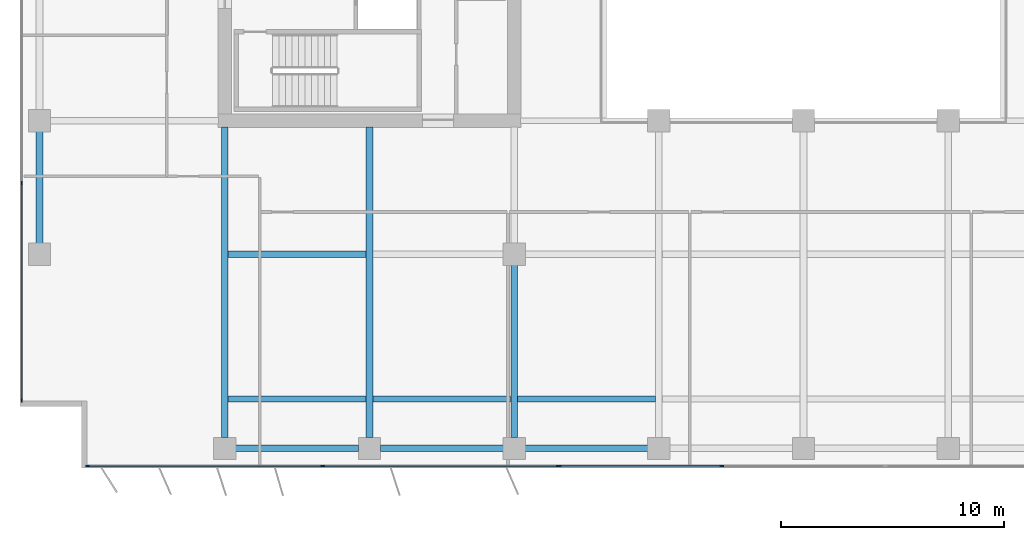
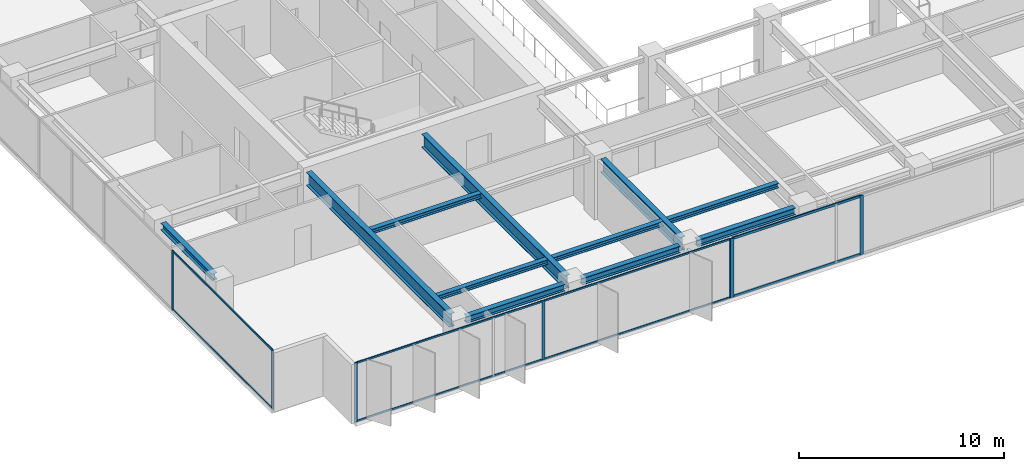
# One storey, part 2 of 22: 15 members, 11 beams, 3 elements without a shape of their own.
"""IFC4 building model written with IfcOpenShell, lengths in metres."""

from ifc_helpers import new_model, si_unit, direction, frame, origin, origin_2d, place, context, subcontext, project, spatial, rectangle, i_section, extrude, material, layer, layer_set, material_profile, profile_set, type_object, element, aggregate, save


model = new_model("IFC4")

# Units and contexts
model_context = context("Model", 3, precision=1e-05, world=origin(), true_north=direction((0.0, 1.0)))
body_context = subcontext(model_context, "Body", "Model", "MODEL_VIEW")
ifc_project = project(units=[si_unit("LENGTHUNIT", "METRE"), si_unit("AREAUNIT", "SQUARE_METRE"), si_unit("VOLUMEUNIT", "CUBIC_METRE"), si_unit("PLANEANGLEUNIT", "RADIAN"), si_unit("MASSUNIT", "GRAM", prefix="KILO")], contexts=[model_context])

# Site, building, storey
site_placement = place(None, origin())
site = spatial("IfcSite", under=ifc_project, at=site_placement, CompositionType="ELEMENT")
building_placement = place(site_placement, origin())
building = spatial("IfcBuilding", under=site, at=building_placement, Name="Putna Gate Headquarters", CompositionType="ELEMENT")
storey_placement = place(building_placement, frame((0.0, 0.0, 193.60009765625)))
storey = spatial("IfcBuildingStorey", under=building, at=storey_placement, Name="L48", CompositionType="ELEMENT", Elevation=193.60009765625)

# Beams
ifc_material_1 = material(Name="Steel S355J2", Category="steel")
ifc_material_profile_1 = material_profile(ifc_material_1, i_section(OverallWidth=0.300048828125, OverallDepth=0.800048828125, WebThickness=0.017578125, FlangeThickness=0.032958984375, at=origin_2d()), Name="Steel S355J2")
ifc_profile_set_1 = profile_set([ifc_material_profile_1], Name="Steel S355J2")
beam_type_1 = type_object("IfcBeamType", Name="BM-GIRD-P-HEB800", PredefinedType="USERDEFINED", material=ifc_profile_set_1)
for number, where, z_axis, x_axis, name in (
    (1, (13.0, 4.76806640625, 3.119873046875), (0.0, 1.0, 0.0), (-1.0, 0.0, 0.0), "L48 South Primary Girder X13"),
    (2, (19.5, 4.76806640625, 3.119873046875), (0.0, 1.0, 0.0), (-1.0, 0.0, 0.0), "L48 South Primary Girder X19"),
):
    element("IfcBeam", number, at=place(storey_placement, frame(where, z_axis=z_axis, x_axis=x_axis)), inside=storey, type_object=beam_type_1, Name=name, ObjectType="GIRDER", PredefinedType="USERDEFINED", context=body_context, shape_type="SweptSolid", body=[
        extrude(i_section(OverallWidth=0.300048828125, OverallDepth=0.800048828125, WebThickness=0.017578125, FlangeThickness=0.032958984375, at=origin_2d()), origin(), (0.0, 0.0, 1.0), 13.947021484375),
    ])
beam_1_placement = place(storey_placement, frame((26.0, 4.76806640625, 3.119873046875), z_axis=(0.0, 1.0, 0.0), x_axis=(-1.0, 0.0, 0.0)))
element("IfcBeam", 3, at=beam_1_placement, inside=storey, type_object=beam_type_1, Name="L48 South Primary Girder X26-1", ObjectType="GIRDER", PredefinedType="USERDEFINED", context=body_context, shape_type="SweptSolid", body=[
    extrude(i_section(OverallWidth=0.300048828125, OverallDepth=0.800048828125, WebThickness=0.017578125, FlangeThickness=0.032958984375, at=origin_2d()), origin(), (0.0, 0.0, 1.0), 7.743896484375),
])
ifc_material_profile_2 = material_profile(ifc_material_1, i_section(OverallWidth=0.300048828125, OverallDepth=0.39990234375, WebThickness=0.013427734375, FlangeThickness=0.02392578125, at=origin_2d()), Name="Steel S355J2")
ifc_profile_set_2 = profile_set([ifc_material_profile_2], Name="Steel S355J2")
beam_type_2 = type_object("IfcBeamType", Name="BM-SPAN-Z3-HEB400", PredefinedType="SPANDREL", material=ifc_profile_set_2)
for number, where, z_axis, x_axis, name in (
    (4, (13.488037109375, 4.280029296875, 3.31982421875), (1.0, 0.0, 0.0), (0.0, 1.0, 0.0), "L48 S Perimeter Spandrel 1"),
    (5, (19.988037109375, 4.280029296875, 3.31982421875), (1.0, 0.0, 0.0), (0.0, 1.0, 0.0), "L48 S Perimeter Spandrel 2"),
    (6, (26.488037109375, 4.280029296875, 3.31982421875), (1.0, 0.0, 0.0), (0.0, 1.0, 0.0), "L48 S Perimeter Spandrel 3"),
):
    element("IfcBeam", number, at=place(storey_placement, frame(where, z_axis=z_axis, x_axis=x_axis)), inside=storey, type_object=beam_type_2, Name=name, PredefinedType="SPANDREL", context=body_context, shape_type="SweptSolid", body=[
        extrude(i_section(OverallWidth=0.300048828125, OverallDepth=0.39990234375, WebThickness=0.013427734375, FlangeThickness=0.02392578125, at=origin_2d()), origin(), (0.0, 0.0, 1.0), 5.52392578125),
    ])
beam_2_placement = place(storey_placement, frame((4.679931640625, 13.488037109375, 3.31982421875), z_axis=(0.0, 1.0, 0.0), x_axis=(-1.0, 0.0, 0.0)))
element("IfcBeam", 7, at=beam_2_placement, inside=storey, type_object=beam_type_2, Name="L48 W End Spandrel 1", PredefinedType="SPANDREL", context=body_context, shape_type="SweptSolid", body=[
    extrude(i_section(OverallWidth=0.300048828125, OverallDepth=0.39990234375, WebThickness=0.013427734375, FlangeThickness=0.02392578125, at=origin_2d()), origin(), (0.0, 0.0, 1.0), 5.02392578125),
])
ifc_material_profile_3 = material_profile(ifc_material_1, i_section(OverallWidth=0.280029296875, OverallDepth=0.280029296875, WebThickness=0.010498046875, FlangeThickness=0.01806640625, at=origin_2d()), Name="Steel S355J2")
ifc_profile_set_3 = profile_set([ifc_material_profile_3], Name="Steel S355J2")
beam_type_3 = type_object("IfcBeamType", Name="BM-SPAN-Z5-HEB280", PredefinedType="SPANDREL", material=ifc_profile_set_3)
for number, where, z_axis, x_axis, name in (
    (8, (13.154052734375, 6.5, 3.3798828125), (1.0, 0.0, 0.0), (0.0, 1.0, 0.0), "L48 South Secondary Beam 1"),
    (9, (13.154052734375, 13.0, 3.3798828125), (1.0, 0.0, 0.0), (0.0, 1.0, 0.0), "L48 South Secondary Beam 1"),
    (10, (19.654052734375, 6.5, 3.3798828125), (1.0, 0.0, 0.0), (0.0, 1.0, 0.0), "L48 South Secondary Beam 2"),
    (11, (26.154052734375, 6.5, 3.3798828125), (1.0, 0.0, 0.0), (0.0, 1.0, 0.0), "L48 South Secondary Beam 3"),
):
    element("IfcBeam", number, at=place(storey_placement, frame(where, z_axis=z_axis, x_axis=x_axis)), inside=storey, type_object=beam_type_3, Name=name, PredefinedType="SPANDREL", context=body_context, shape_type="SweptSolid", body=[
        extrude(i_section(OverallWidth=0.280029296875, OverallDepth=0.280029296875, WebThickness=0.010498046875, FlangeThickness=0.01806640625, at=origin_2d()), origin(), (0.0, 0.0, 1.0), 6.19189453125),
    ])

# Curtain wall, members
ifc_material_2 = material(Name="Anodised bronze aluminium curtain wall", Category="aluminium")
ifc_layer_1 = layer(ifc_material_2, 0.159912109375)
ifc_layer_set_1 = layer_set([ifc_layer_1], Name="Anodised bronze aluminium curtain wall")
curtain_wall_type_1 = type_object("IfcCurtainWallType", Name="CW-SYS-Z3", PredefinedType="USERDEFINED", material=ifc_layer_set_1)
curtain_wall_1_placement = place(storey_placement, origin())
curtain_wall_1 = element("IfcCurtainWall", 12, at=curtain_wall_1_placement, inside=storey, type_object=curtain_wall_type_1, Name="L48 South West Curtain Wall", ObjectType="STICK CURTAIN WALL", PredefinedType="USERDEFINED")
ifc_material_3 = material(Name="Anodised bronze aluminium EN AW-6060", Category="aluminium")
ifc_material_profile_4 = material_profile(ifc_material_3, rectangle(XDim=0.06494140625, YDim=0.159912109375, at=origin_2d()), Name="Anodised bronze aluminium EN AW-6060")
ifc_profile_set_4 = profile_set([ifc_material_profile_4], Name="Anodised bronze aluminium EN AW-6060")
member_type_1 = type_object("IfcMemberType", Name="MULL-CWM-3", PredefinedType="MULLION", material=ifc_profile_set_4)
member_1_placement = place(storey_placement, frame((6.83251953125, 3.47998046875, 0.0), z_axis=(0.0, 0.0, 1.0), x_axis=(0.0, 1.0, 0.0)))
member_1 = element("IfcMember", 13, at=member_1_placement, type_object=member_type_1, Name="CWS-3 mullion 1", PredefinedType="MULLION", context=body_context, shape_type="SweptSolid", body=[
    extrude(rectangle(XDim=0.06494140625, YDim=0.159912109375, at=origin_2d()), origin(), (0.0, 0.0, 1.0), 3.52001953125),
])
member_2_placement = place(storey_placement, frame((17.39990234375, 3.47998046875, 0.0), z_axis=(0.0, 0.0, 1.0), x_axis=(0.0, 1.0, 0.0)))
member_2 = element("IfcMember", 14, at=member_2_placement, type_object=member_type_1, Name="CWS-3 mullion 2", PredefinedType="MULLION", context=body_context, shape_type="SweptSolid", body=[
    extrude(rectangle(XDim=0.06494140625, YDim=0.159912109375, at=origin_2d()), origin(), (0.0, 0.0, 1.0), 3.52001953125),
])
member_3_placement = place(storey_placement, frame((27.967529296875, 3.47998046875, 0.0), z_axis=(0.0, 0.0, 1.0), x_axis=(0.0, 1.0, 0.0)))
member_3 = element("IfcMember", 15, at=member_3_placement, type_object=member_type_1, Name="CWS-3 mullion 3", PredefinedType="MULLION", context=body_context, shape_type="SweptSolid", body=[
    extrude(rectangle(XDim=0.06494140625, YDim=0.159912109375, at=origin_2d()), origin(), (0.0, 0.0, 1.0), 3.52001953125),
])

curtain_wall_2_placement = place(storey_placement, origin())
curtain_wall_2 = element("IfcCurtainWall", 16, at=curtain_wall_2_placement, inside=storey, type_object=curtain_wall_type_1, Name="L48 West Curtain Wall", ObjectType="STICK CURTAIN WALL", PredefinedType="USERDEFINED")
member_4_placement = place(storey_placement, frame((3.8798828125, 6.4326171875, 0.0), z_axis=(0.0, 0.0, 1.0), x_axis=(-1.0, 0.0, 0.0)))
member_4 = element("IfcMember", 17, at=member_4_placement, type_object=member_type_1, Name="CWS-3 mullion 1", PredefinedType="MULLION", context=body_context, shape_type="SweptSolid", body=[
    extrude(rectangle(XDim=0.06494140625, YDim=0.159912109375, at=origin_2d()), origin(), (0.0, 0.0, 1.0), 3.52001953125),
])
member_5_placement = place(storey_placement, frame((3.8798828125, 16.199951171875, 0.0), z_axis=(0.0, 0.0, 1.0), x_axis=(-1.0, 0.0, 0.0)))
member_5 = element("IfcMember", 18, at=member_5_placement, type_object=member_type_1, Name="CWS-3 mullion 2", PredefinedType="MULLION", context=body_context, shape_type="SweptSolid", body=[
    extrude(rectangle(XDim=0.06494140625, YDim=0.159912109375, at=origin_2d()), origin(), (0.0, 0.0, 1.0), 3.52001953125),
])

ifc_layer_2 = layer(ifc_material_2, 0.179931640625)
ifc_layer_set_2 = layer_set([ifc_layer_2], Name="Anodised bronze aluminium curtain wall")
curtain_wall_type_2 = type_object("IfcCurtainWallType", Name="CW-SYS-ATR", PredefinedType="USERDEFINED", material=ifc_layer_set_2)
curtain_wall_3_placement = place(storey_placement, origin())
curtain_wall_3 = element("IfcCurtainWall", 19, at=curtain_wall_3_placement, inside=storey, type_object=curtain_wall_type_2, Name="L48 South Atrium Clear Glazing", ObjectType="ATRIUM GLAZING", PredefinedType="USERDEFINED")
ifc_material_profile_5 = material_profile(ifc_material_3, rectangle(XDim=0.070068359375, YDim=0.179931640625, at=origin_2d()), Name="Anodised bronze aluminium EN AW-6060")
ifc_profile_set_5 = profile_set([ifc_material_profile_5], Name="Anodised bronze aluminium EN AW-6060")
member_type_2 = type_object("IfcMemberType", Name="MULL-CWM-AT", PredefinedType="MULLION", material=ifc_profile_set_5)
member_6_placement = place(storey_placement, frame((28.034912109375, 3.47998046875, 0.0), z_axis=(0.0, 0.0, 1.0), x_axis=(0.0, 1.0, 0.0)))
member_6 = element("IfcMember", 20, at=member_6_placement, type_object=member_type_2, Name="CWS-AT mullion 1", PredefinedType="MULLION", context=body_context, shape_type="SweptSolid", body=[
    extrude(rectangle(XDim=0.070068359375, YDim=0.179931640625, at=origin_2d()), origin(), (0.0, 0.0, 1.0), 3.52001953125),
])
member_7_placement = place(storey_placement, frame((35.333251953125, 3.47998046875, 0.0), z_axis=(0.0, 0.0, 1.0), x_axis=(0.0, 1.0, 0.0)))
member_7 = element("IfcMember", 21, at=member_7_placement, type_object=member_type_2, Name="CWS-AT mullion 2", PredefinedType="MULLION", context=body_context, shape_type="SweptSolid", body=[
    extrude(rectangle(XDim=0.070068359375, YDim=0.179931640625, at=origin_2d()), origin(), (0.0, 0.0, 1.0), 3.52001953125),
])

# Member
ifc_material_profile_6 = material_profile(ifc_material_3, rectangle(XDim=0.06005859375, YDim=0.10009765625, at=origin_2d()), Name="Anodised bronze aluminium EN AW-6060")
ifc_profile_set_6 = profile_set([ifc_material_profile_6], Name="Anodised bronze aluminium EN AW-6060")
member_type_3 = type_object("IfcMemberType", Name="TRAN-CWT-3", PredefinedType="USERDEFINED", material=ifc_profile_set_6)
member_8_placement = place(storey_placement, frame((6.864990234375, 3.47998046875, 0.02978515625), z_axis=(1.0, 0.0, 0.0), x_axis=(0.0, 1.0, 0.0)))
member_8 = element("IfcMember", 22, at=member_8_placement, type_object=member_type_3, Name="CWS-3 transom 1.1", ObjectType="TRANSOM", PredefinedType="USERDEFINED", context=body_context, shape_type="SweptSolid", body=[
    extrude(rectangle(XDim=0.06005859375, YDim=0.10009765625, at=origin_2d()), origin(), (0.0, 0.0, 1.0), 10.50244140625),
])

member_9_placement = place(storey_placement, frame((6.864990234375, 3.47998046875, 3.489990234375), z_axis=(1.0, 0.0, 0.0), x_axis=(0.0, 1.0, 0.0)))
member_9 = element("IfcMember", 23, at=member_9_placement, type_object=member_type_3, Name="CWS-3 transom 1.2", ObjectType="TRANSOM", PredefinedType="USERDEFINED", context=body_context, shape_type="SweptSolid", body=[
    extrude(rectangle(XDim=0.06005859375, YDim=0.10009765625, at=origin_2d()), origin(), (0.0, 0.0, 1.0), 10.50244140625),
])

member_10_placement = place(storey_placement, frame((17.4326171875, 3.47998046875, 0.02978515625), z_axis=(1.0, 0.0, 0.0), x_axis=(0.0, 1.0, 0.0)))
member_10 = element("IfcMember", 24, at=member_10_placement, type_object=member_type_3, Name="CWS-3 transom 2.1", ObjectType="TRANSOM", PredefinedType="USERDEFINED", context=body_context, shape_type="SweptSolid", body=[
    extrude(rectangle(XDim=0.06005859375, YDim=0.10009765625, at=origin_2d()), origin(), (0.0, 0.0, 1.0), 10.50244140625),
])

member_11_placement = place(storey_placement, frame((17.4326171875, 3.47998046875, 3.489990234375), z_axis=(1.0, 0.0, 0.0), x_axis=(0.0, 1.0, 0.0)))
member_11 = element("IfcMember", 25, at=member_11_placement, type_object=member_type_3, Name="CWS-3 transom 2.2", ObjectType="TRANSOM", PredefinedType="USERDEFINED", context=body_context, shape_type="SweptSolid", body=[
    extrude(rectangle(XDim=0.06005859375, YDim=0.10009765625, at=origin_2d()), origin(), (0.0, 0.0, 1.0), 10.50244140625),
])

aggregate(curtain_wall_1, [member_1, member_2, member_3, member_8, member_9, member_10, member_11])

member_12_placement = place(storey_placement, frame((3.8798828125, 6.465087890625, 0.02978515625), z_axis=(0.0, 1.0, 0.0), x_axis=(-1.0, 0.0, 0.0)))
member_12 = element("IfcMember", 26, at=member_12_placement, type_object=member_type_3, Name="CWS-3 transom 1.1", ObjectType="TRANSOM", PredefinedType="USERDEFINED", context=body_context, shape_type="SweptSolid", body=[
    extrude(rectangle(XDim=0.06005859375, YDim=0.10009765625, at=origin_2d()), origin(), (0.0, 0.0, 1.0), 9.702392578125),
])

member_13_placement = place(storey_placement, frame((3.8798828125, 6.465087890625, 3.489990234375), z_axis=(0.0, 1.0, 0.0), x_axis=(-1.0, 0.0, 0.0)))
member_13 = element("IfcMember", 27, at=member_13_placement, type_object=member_type_3, Name="CWS-3 transom 1.2", ObjectType="TRANSOM", PredefinedType="USERDEFINED", context=body_context, shape_type="SweptSolid", body=[
    extrude(rectangle(XDim=0.06005859375, YDim=0.10009765625, at=origin_2d()), origin(), (0.0, 0.0, 1.0), 9.702392578125),
])

aggregate(curtain_wall_2, [member_4, member_5, member_12, member_13])

ifc_material_profile_7 = material_profile(ifc_material_3, rectangle(XDim=0.070068359375, YDim=0.139892578125, at=origin_2d()), Name="Anodised bronze aluminium EN AW-6060")
ifc_profile_set_7 = profile_set([ifc_material_profile_7], Name="Anodised bronze aluminium EN AW-6060")
member_type_4 = type_object("IfcMemberType", Name="TRAN-CWT-AT", PredefinedType="USERDEFINED", material=ifc_profile_set_7)
member_14_placement = place(storey_placement, frame((28.070068359375, 3.47998046875, 0.034912109375), z_axis=(1.0, 0.0, 0.0), x_axis=(0.0, 1.0, 0.0)))
member_14 = element("IfcMember", 28, at=member_14_placement, type_object=member_type_4, Name="CWS-AT transom 1.1", ObjectType="TRANSOM", PredefinedType="USERDEFINED", context=body_context, shape_type="SweptSolid", body=[
    extrude(rectangle(XDim=0.070068359375, YDim=0.139892578125, at=origin_2d()), origin(), (0.0, 0.0, 1.0), 7.228271484375),
])

member_15_placement = place(storey_placement, frame((28.070068359375, 3.47998046875, 3.48486328125), z_axis=(1.0, 0.0, 0.0), x_axis=(0.0, 1.0, 0.0)))
member_15 = element("IfcMember", 29, at=member_15_placement, type_object=member_type_4, Name="CWS-AT transom 1.2", ObjectType="TRANSOM", PredefinedType="USERDEFINED", context=body_context, shape_type="SweptSolid", body=[
    extrude(rectangle(XDim=0.070068359375, YDim=0.139892578125, at=origin_2d()), origin(), (0.0, 0.0, 1.0), 7.228271484375),
])

aggregate(curtain_wall_3, [member_6, member_7, member_14, member_15])

save(model, "model.ifc")
